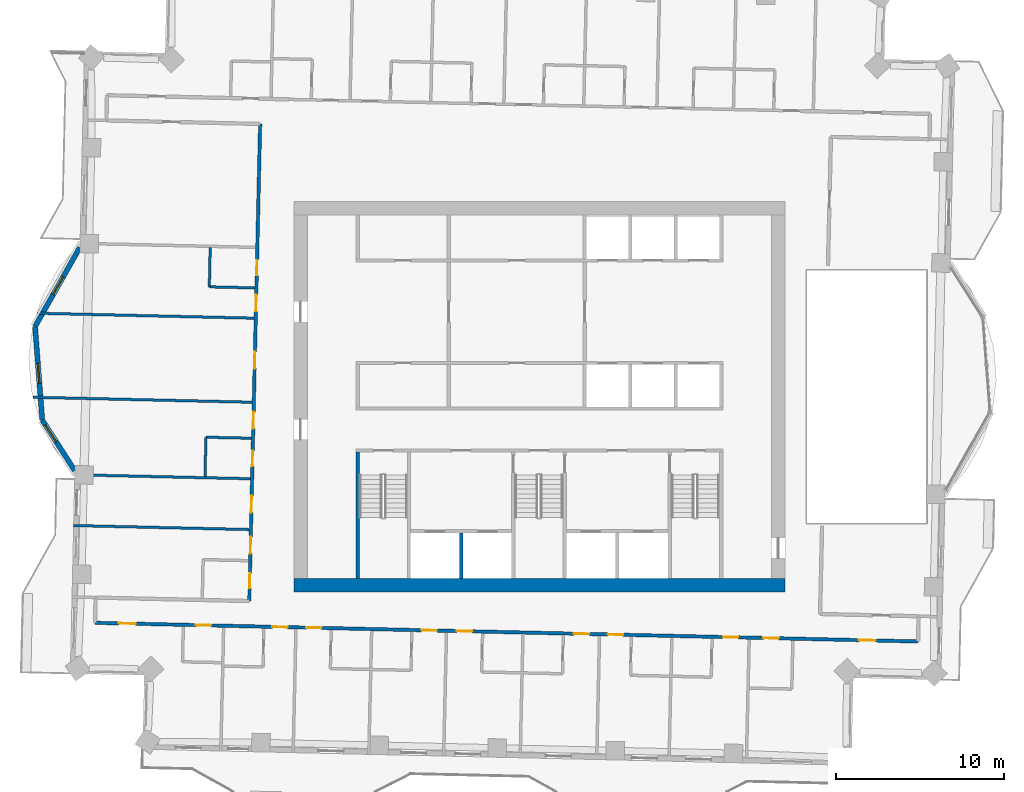
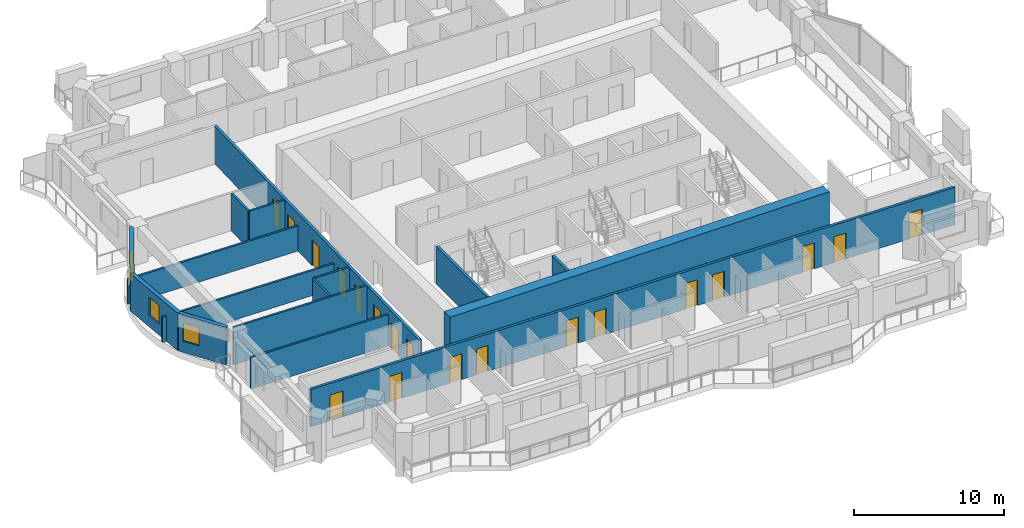
# One storey, part 5 of 14: 19 doors, 16 walls, 3 windows, 22 openings.
"""IFC4 building model written with IfcOpenShell, lengths in metres."""

from ifc_helpers import new_model, si_unit, direction, frame, frame_2d, origin, place, context, subcontext, project, spatial, rectangle, extrude, material, layer, layer_set, type_object, element, fill, save


model = new_model("IFC4")

# Units and contexts
model_context = context("Model", 3, precision=1e-05, world=origin(), true_north=direction((0.0, 1.0)))
body_context = subcontext(model_context, "Body", "Model", "MODEL_VIEW")
ifc_project = project(units=[si_unit("LENGTHUNIT", "METRE"), si_unit("AREAUNIT", "SQUARE_METRE"), si_unit("VOLUMEUNIT", "CUBIC_METRE"), si_unit("PLANEANGLEUNIT", "RADIAN"), si_unit("MASSUNIT", "GRAM", prefix="KILO")], contexts=[model_context])

# Site, building, storey
site_placement = place(None, origin())
site = spatial("IfcSite", under=ifc_project, at=site_placement, CompositionType="ELEMENT")
building_placement = place(site_placement, origin())
building = spatial("IfcBuilding", under=site, at=building_placement, Name="Mangrove Gate Tower", CompositionType="ELEMENT")
storey_placement = place(building_placement, frame((0.0, 0.0, 208.699951171875)))
storey = spatial("IfcBuildingStorey", under=building, at=storey_placement, Name="L53", CompositionType="ELEMENT", Elevation=208.699951171875)

# Walls
ifc_material_1 = material(Name="Concrete C60/75", Category="concrete")
ifc_layer_1 = layer(ifc_material_1, 0.199951171875)
ifc_layer_set_1 = layer_set([ifc_layer_1], Name="Core shaft wall 200 C60/75")
wall_type_1 = type_object("IfcWallType", Name="Core shaft wall 200 C60/75", PredefinedType="SHEAR", material=ifc_layer_set_1)
wall_1_placement = place(storey_placement, frame((-4.64990234375, -10.800048828125, 0.0), z_axis=(0.0, 0.0, 1.0), x_axis=(0.0, 1.0, 0.0)))
element("IfcWall", 1, at=wall_1_placement, inside=storey, type_object=wall_type_1, Name="WALL-L53-CORE-16", PredefinedType="SHEAR", context=body_context, shape_type="SweptSolid", body=[
    extrude(rectangle(XDim=2.699951171875, YDim=0.199951171875, at=frame_2d((1.35009765625, 0.0))), origin(), (0.0, 0.0, 1.0), 3.050048828125),
])
ifc_material_2 = material(Name="Concrete C60/75", Category="concrete")
ifc_layer_2 = layer(ifc_material_2, 0.199951171875)
ifc_layer_set_2 = layer_set([ifc_layer_2], Name="Core stair wall 200 C60/75")
wall_type_2 = type_object("IfcWallType", Name="Core stair wall 200 C60/75", PredefinedType="SHEAR", material=ifc_layer_set_2)
wall_2_placement = place(storey_placement, frame((-10.800048828125, -10.800048828125, 0.0), z_axis=(0.0, 0.0, 1.0), x_axis=(0.0, 1.0, 0.0)))
element("IfcWall", 2, at=wall_2_placement, inside=storey, type_object=wall_type_2, Name="WALL-L53-CORE-9", PredefinedType="SHEAR", context=body_context, shape_type="SweptSolid", body=[
    extrude(rectangle(XDim=7.5, YDim=0.199951171875, at=frame_2d((3.75, 0.0))), origin(), (0.0, 0.0, 1.0), 3.050048828125),
])
ifc_material_3 = material(Name="Concrete C60/75", Category="concrete")
ifc_layer_3 = layer(ifc_material_3, 0.800048828125)
ifc_layer_set_3 = layer_set([ifc_layer_3], Name="Core wall 800 C60/75")
wall_type_3 = type_object("IfcWallType", Name="Core wall 800 C60/75", PredefinedType="SHEAR", material=ifc_layer_set_3)
wall_3_placement = place(storey_placement, frame((-14.60009765625, -11.199951171875, 0.0), z_axis=(0.0, 0.0, 1.0), x_axis=(1.0, 0.0, 0.0)))
element("IfcWall", 3, at=wall_3_placement, inside=storey, type_object=wall_type_3, Name="WALL-L53-CORE-1", PredefinedType="SHEAR", context=body_context, shape_type="SweptSolid", body=[
    extrude(rectangle(XDim=29.2001953125, YDim=0.800048828125, at=frame_2d((14.60009765625, 0.0))), origin(), (0.0, 0.0, 1.0), 3.60009765625),
])

# Wall, openings, doors
ifc_material_4 = material(Name="Gypsum board on steel stud, EI 60", Category="steel")
ifc_layer_4 = layer(ifc_material_4, 0.199951171875)
ifc_layer_set_4 = layer_set([ifc_layer_4], Name="Corridor wall EI 60")
wall_type_4 = type_object("IfcWallType", Name="Corridor wall EI 60", PredefinedType="PARTITIONING", material=ifc_layer_set_4)
wall_4_placement = place(storey_placement, frame((-26.4208984375, -13.44091796875, 0.0), z_axis=(0.0, 0.0, 1.0), x_axis=(0.999742754064, -0.022680954485, 0.0)))
wall_4 = element("IfcWall", 4, at=wall_4_placement, inside=storey, type_object=wall_type_4, Name="WALL-L53-024", PredefinedType="PARTITIONING", context=body_context, shape_type="SweptSolid", body=[
    extrude(rectangle(XDim=48.944580078125, YDim=0.199951171875, at=frame_2d((24.47216796875, 0.0))), origin(), (0.0, 0.0, 1.0), 3.050048828125),
])
opening_1_placement = place(wall_4_placement, frame((1.425048828125, 0.0, 0.0)))
opening_1 = element("IfcOpeningElement", 5, at=opening_1_placement, cuts=wall_4, Name="Opening AD", PredefinedType="OPENING", context=body_context, shape_type="SweptSolid", body=[
    extrude(rectangle(XDim=1.0, YDim=2.10009765625, at=frame_2d((0.5, 1.050048828125))), frame((0.0, 0.10986328125, 0.0), z_axis=(0.0, -1.0, 0.0), x_axis=(1.0, 0.0, 0.0)), (0.0, 0.0, 1.0), 0.219970703125),
])
opening_2_placement = place(wall_4_placement, frame((6.0, 0.0, 0.0)))
opening_2 = element("IfcOpeningElement", 6, at=opening_2_placement, cuts=wall_4, Name="Opening SD", PredefinedType="OPENING", context=body_context, shape_type="SweptSolid", body=[
    extrude(rectangle(XDim=0.89990234375, YDim=2.10009765625, at=frame_2d((0.449951171875, 1.050048828125))), frame((0.0, 0.10986328125, 0.0), z_axis=(0.0, -1.0, 0.0), x_axis=(1.0, 0.0, 0.0)), (0.0, 0.0, 1.0), 0.219970703125),
])
opening_3_placement = place(wall_4_placement, frame((10.550048828125, 0.0, 0.0)))
opening_3 = element("IfcOpeningElement", 7, at=opening_3_placement, cuts=wall_4, Name="Opening BD", PredefinedType="OPENING", context=body_context, shape_type="SweptSolid", body=[
    extrude(rectangle(XDim=0.89990234375, YDim=2.10009765625, at=frame_2d((0.449951171875, 1.050048828125))), frame((0.0, 0.10986328125, 0.0), z_axis=(0.0, -1.0, 0.0), x_axis=(1.0, 0.0, 0.0)), (0.0, 0.0, 1.0), 0.219970703125),
])
opening_4_placement = place(wall_4_placement, frame((12.550048828125, 0.0, 0.0)))
opening_4 = element("IfcOpeningElement", 8, at=opening_4_placement, cuts=wall_4, Name="Opening BD", PredefinedType="OPENING", context=body_context, shape_type="SweptSolid", body=[
    extrude(rectangle(XDim=0.89990234375, YDim=2.10009765625, at=frame_2d((0.449951171875, 1.050048828125))), frame((0.0, 0.10986328125, 0.0), z_axis=(0.0, -1.0, 0.0), x_axis=(1.0, 0.0, 0.0)), (0.0, 0.0, 1.0), 0.219970703125),
])
opening_5_placement = place(wall_4_placement, frame((19.425048828125, 0.0, 0.0)))
opening_5 = element("IfcOpeningElement", 9, at=opening_5_placement, cuts=wall_4, Name="Opening BD", PredefinedType="OPENING", context=body_context, shape_type="SweptSolid", body=[
    extrude(rectangle(XDim=0.89990234375, YDim=2.10009765625, at=frame_2d((0.449951171875, 1.050048828125))), frame((0.0, 0.10986328125, 0.0), z_axis=(0.0, -1.0, 0.0), x_axis=(1.0, 0.0, 0.0)), (0.0, 0.0, 1.0), 0.219970703125),
])
opening_6_placement = place(wall_4_placement, frame((21.52490234375, 0.0, 0.0)))
opening_6 = element("IfcOpeningElement", 10, at=opening_6_placement, cuts=wall_4, Name="Opening BD", PredefinedType="OPENING", context=body_context, shape_type="SweptSolid", body=[
    extrude(rectangle(XDim=0.89990234375, YDim=2.10009765625, at=frame_2d((0.449951171875, 1.050048828125))), frame((0.0, 0.10986328125, 0.0), z_axis=(0.0, -1.0, 0.0), x_axis=(1.0, 0.0, 0.0)), (0.0, 0.0, 1.0), 0.219970703125),
])
opening_7_placement = place(wall_4_placement, frame((28.47509765625, 0.0, 0.0)))
opening_7 = element("IfcOpeningElement", 11, at=opening_7_placement, cuts=wall_4, Name="Opening BD", PredefinedType="OPENING", context=body_context, shape_type="SweptSolid", body=[
    extrude(rectangle(XDim=0.89990234375, YDim=2.10009765625, at=frame_2d((0.449951171875, 1.050048828125))), frame((0.0, 0.10986328125, 0.0), z_axis=(0.0, -1.0, 0.0), x_axis=(1.0, 0.0, 0.0)), (0.0, 0.0, 1.0), 0.219970703125),
])
opening_8_placement = place(wall_4_placement, frame((30.5, 0.0, 0.0)))
opening_8 = element("IfcOpeningElement", 12, at=opening_8_placement, cuts=wall_4, Name="Opening BD", PredefinedType="OPENING", context=body_context, shape_type="SweptSolid", body=[
    extrude(rectangle(XDim=0.89990234375, YDim=2.10009765625, at=frame_2d((0.449951171875, 1.050048828125))), frame((0.0, 0.10986328125, 0.0), z_axis=(0.0, -1.0, 0.0), x_axis=(1.0, 0.0, 0.0)), (0.0, 0.0, 1.0), 0.219970703125),
])
opening_9_placement = place(wall_4_placement, frame((37.35009765625, 0.0, 0.0)))
opening_9 = element("IfcOpeningElement", 13, at=opening_9_placement, cuts=wall_4, Name="Opening BD", PredefinedType="OPENING", context=body_context, shape_type="SweptSolid", body=[
    extrude(rectangle(XDim=0.89990234375, YDim=2.10009765625, at=frame_2d((0.449951171875, 1.050048828125))), frame((0.0, 0.10986328125, 0.0), z_axis=(0.0, -1.0, 0.0), x_axis=(1.0, 0.0, 0.0)), (0.0, 0.0, 1.0), 0.219970703125),
])
opening_10_placement = place(wall_4_placement, frame((45.422119140625, 0.0, 0.0)))
opening_10 = element("IfcOpeningElement", 14, at=opening_10_placement, cuts=wall_4, Name="Opening AD", PredefinedType="OPENING", context=body_context, shape_type="SweptSolid", body=[
    extrude(rectangle(XDim=1.0, YDim=2.10009765625, at=frame_2d((0.5, 1.050048828125))), frame((0.0, 0.10986328125, 0.0), z_axis=(0.0, -1.0, 0.0), x_axis=(1.0, 0.0, 0.0)), (0.0, 0.0, 1.0), 0.219970703125),
])
opening_11_placement = place(wall_4_placement, frame((39.75, 0.0, 0.0)))
opening_11 = element("IfcOpeningElement", 15, at=opening_11_placement, cuts=wall_4, Name="Opening SD", PredefinedType="OPENING", context=body_context, shape_type="SweptSolid", body=[
    extrude(rectangle(XDim=0.89990234375, YDim=2.10009765625, at=frame_2d((0.449951171875, 1.050048828125))), frame((0.0, 0.10986328125, 0.0), z_axis=(0.0, -1.0, 0.0), x_axis=(1.0, 0.0, 0.0)), (0.0, 0.0, 1.0), 0.219970703125),
])
ifc_material_5 = material(Name="Timber door leaf", Category="wood")
door_type_1 = type_object("IfcDoorType", Name="Amenity door 1000", OperationType="SINGLE_SWING_LEFT", PredefinedType="DOOR", material=ifc_material_5)
door_1_placement = place(opening_1_placement, origin())
door_1 = element("IfcDoor", 16, at=door_1_placement, inside=storey, type_object=door_type_1, Name="DOOR-L53-LNG-c1a", OperationType="SINGLE_SWING_LEFT", OverallHeight=2.10009765625, OverallWidth=1.0, PredefinedType="DOOR", context=body_context, shape_type="SweptSolid", body=[
    extrude(rectangle(XDim=1.0, YDim=2.10009765625, at=frame_2d((0.5, 1.050048828125))), frame((0.0, 0.02490234375, 0.0), z_axis=(0.0, -1.0, 0.0), x_axis=(1.0, 0.0, 0.0)), (0.0, 0.0, 1.0), 0.050048828125),
])
fill(opening_1, door_1)
door_2_placement = place(opening_10_placement, origin())
door_2 = element("IfcDoor", 17, at=door_2_placement, inside=storey, type_object=door_type_1, Name="DOOR-L53-GAM-c3a", OperationType="SINGLE_SWING_RIGHT", OverallHeight=2.10009765625, OverallWidth=1.0, PredefinedType="DOOR", context=body_context, shape_type="SweptSolid", body=[
    extrude(rectangle(XDim=1.0, YDim=2.10009765625, at=frame_2d((0.5, 1.050048828125))), frame((0.0, 0.02490234375, 0.0), z_axis=(0.0, -1.0, 0.0), x_axis=(1.0, 0.0, 0.0)), (0.0, 0.0, 1.0), 0.050048828125),
])
fill(opening_10, door_2)
ifc_material_6 = material(Name="Timber door leaf", Category="wood")
door_type_2 = type_object("IfcDoorType", Name="Bedroom door 900", OperationType="SINGLE_SWING_LEFT", PredefinedType="DOOR", material=ifc_material_6)
door_3_placement = place(opening_3_placement, origin())
door_3 = element("IfcDoor", 18, at=door_3_placement, inside=storey, type_object=door_type_2, Name="DOOR-L53-BED-c101", OperationType="SINGLE_SWING_LEFT", OverallHeight=2.10009765625, OverallWidth=0.89990234375, PredefinedType="DOOR", context=body_context, shape_type="SweptSolid", body=[
    extrude(rectangle(XDim=0.89990234375, YDim=2.10009765625, at=frame_2d((0.449951171875, 1.050048828125))), frame((0.0, 0.02490234375, 0.0), z_axis=(0.0, -1.0, 0.0), x_axis=(1.0, 0.0, 0.0)), (0.0, 0.0, 1.0), 0.050048828125),
])
fill(opening_3, door_3)
door_4_placement = place(opening_4_placement, origin())
door_4 = element("IfcDoor", 19, at=door_4_placement, inside=storey, type_object=door_type_2, Name="DOOR-L53-BED-c102", OperationType="SINGLE_SWING_RIGHT", OverallHeight=2.10009765625, OverallWidth=0.89990234375, PredefinedType="DOOR", context=body_context, shape_type="SweptSolid", body=[
    extrude(rectangle(XDim=0.89990234375, YDim=2.10009765625, at=frame_2d((0.449951171875, 1.050048828125))), frame((0.0, 0.02490234375, 0.0), z_axis=(0.0, -1.0, 0.0), x_axis=(1.0, 0.0, 0.0)), (0.0, 0.0, 1.0), 0.050048828125),
])
fill(opening_4, door_4)
door_5_placement = place(opening_5_placement, origin())
door_5 = element("IfcDoor", 20, at=door_5_placement, inside=storey, type_object=door_type_2, Name="DOOR-L53-BED-c103", OperationType="SINGLE_SWING_LEFT", OverallHeight=2.10009765625, OverallWidth=0.89990234375, PredefinedType="DOOR", context=body_context, shape_type="SweptSolid", body=[
    extrude(rectangle(XDim=0.89990234375, YDim=2.10009765625, at=frame_2d((0.449951171875, 1.050048828125))), frame((0.0, 0.02490234375, 0.0), z_axis=(0.0, -1.0, 0.0), x_axis=(1.0, 0.0, 0.0)), (0.0, 0.0, 1.0), 0.050048828125),
])
fill(opening_5, door_5)
door_6_placement = place(opening_6_placement, origin())
door_6 = element("IfcDoor", 21, at=door_6_placement, inside=storey, type_object=door_type_2, Name="DOOR-L53-BED-c204", OperationType="SINGLE_SWING_RIGHT", OverallHeight=2.10009765625, OverallWidth=0.89990234375, PredefinedType="DOOR", context=body_context, shape_type="SweptSolid", body=[
    extrude(rectangle(XDim=0.89990234375, YDim=2.10009765625, at=frame_2d((0.449951171875, 1.050048828125))), frame((0.0, 0.02490234375, 0.0), z_axis=(0.0, -1.0, 0.0), x_axis=(1.0, 0.0, 0.0)), (0.0, 0.0, 1.0), 0.050048828125),
])
fill(opening_6, door_6)
door_7_placement = place(opening_7_placement, origin())
door_7 = element("IfcDoor", 22, at=door_7_placement, inside=storey, type_object=door_type_2, Name="DOOR-L53-BED-c205", OperationType="SINGLE_SWING_LEFT", OverallHeight=2.10009765625, OverallWidth=0.89990234375, PredefinedType="DOOR", context=body_context, shape_type="SweptSolid", body=[
    extrude(rectangle(XDim=0.89990234375, YDim=2.10009765625, at=frame_2d((0.449951171875, 1.050048828125))), frame((0.0, 0.02490234375, 0.0), z_axis=(0.0, -1.0, 0.0), x_axis=(1.0, 0.0, 0.0)), (0.0, 0.0, 1.0), 0.050048828125),
])
fill(opening_7, door_7)
door_8_placement = place(opening_8_placement, origin())
door_8 = element("IfcDoor", 23, at=door_8_placement, inside=storey, type_object=door_type_2, Name="DOOR-L53-BED-c206", OperationType="SINGLE_SWING_RIGHT", OverallHeight=2.10009765625, OverallWidth=0.89990234375, PredefinedType="DOOR", context=body_context, shape_type="SweptSolid", body=[
    extrude(rectangle(XDim=0.89990234375, YDim=2.10009765625, at=frame_2d((0.449951171875, 1.050048828125))), frame((0.0, 0.02490234375, 0.0), z_axis=(0.0, -1.0, 0.0), x_axis=(1.0, 0.0, 0.0)), (0.0, 0.0, 1.0), 0.050048828125),
])
fill(opening_8, door_8)
door_9_placement = place(opening_9_placement, origin())
door_9 = element("IfcDoor", 24, at=door_9_placement, inside=storey, type_object=door_type_2, Name="DOOR-L53-BED-c307", OperationType="SINGLE_SWING_LEFT", OverallHeight=2.10009765625, OverallWidth=0.89990234375, PredefinedType="DOOR", context=body_context, shape_type="SweptSolid", body=[
    extrude(rectangle(XDim=0.89990234375, YDim=2.10009765625, at=frame_2d((0.449951171875, 1.050048828125))), frame((0.0, 0.02490234375, 0.0), z_axis=(0.0, -1.0, 0.0), x_axis=(1.0, 0.0, 0.0)), (0.0, 0.0, 1.0), 0.050048828125),
])
fill(opening_9, door_9)
ifc_material_7 = material(Name="Timber door leaf", Category="wood")
door_type_3 = type_object("IfcDoorType", Name="Service room door 900", OperationType="SINGLE_SWING_LEFT", PredefinedType="DOOR", material=ifc_material_7)
door_10_placement = place(opening_2_placement, origin())
door_10 = element("IfcDoor", 25, at=door_10_placement, inside=storey, type_object=door_type_3, Name="DOOR-L53-LIN-c1a", OperationType="SINGLE_SWING_LEFT", OverallHeight=2.10009765625, OverallWidth=0.89990234375, PredefinedType="DOOR", context=body_context, shape_type="SweptSolid", body=[
    extrude(rectangle(XDim=0.89990234375, YDim=2.10009765625, at=frame_2d((0.449951171875, 1.050048828125))), frame((0.0, 0.02490234375, 0.0), z_axis=(0.0, -1.0, 0.0), x_axis=(1.0, 0.0, 0.0)), (0.0, 0.0, 1.0), 0.050048828125),
])
fill(opening_2, door_10)
door_11_placement = place(opening_11_placement, origin())
door_11 = element("IfcDoor", 26, at=door_11_placement, inside=storey, type_object=door_type_3, Name="DOOR-L53-AWC-c3a", OperationType="SINGLE_SWING_RIGHT", OverallHeight=2.10009765625, OverallWidth=0.89990234375, PredefinedType="DOOR", context=body_context, shape_type="SweptSolid", body=[
    extrude(rectangle(XDim=0.89990234375, YDim=2.10009765625, at=frame_2d((0.449951171875, 1.050048828125))), frame((0.0, 0.02490234375, 0.0), z_axis=(0.0, -1.0, 0.0), x_axis=(1.0, 0.0, 0.0)), (0.0, 0.0, 1.0), 0.050048828125),
])
fill(opening_11, door_11)

wall_5_placement = place(storey_placement, frame((-17.2470703125, -12.14892578125, 0.0), z_axis=(0.0, 0.0, 1.0), x_axis=(0.022698146637, 0.999742363881, 0.0)))
wall_5 = element("IfcWall", 27, at=wall_5_placement, inside=storey, type_object=wall_type_4, Name="WALL-L53-030", PredefinedType="PARTITIONING", context=body_context, shape_type="SweptSolid", body=[
    extrude(rectangle(XDim=28.374267578125, YDim=0.199951171875, at=frame_2d((14.18701171875, 0.0))), origin(), (0.0, 0.0, 1.0), 3.050048828125),
])
opening_12_placement = place(wall_5_placement, frame((17.22509765625, 0.0, 0.0)))
opening_12 = element("IfcOpeningElement", 28, at=opening_12_placement, cuts=wall_5, Name="Opening AD", PredefinedType="OPENING", context=body_context, shape_type="SweptSolid", body=[
    extrude(rectangle(XDim=1.0, YDim=2.10009765625, at=frame_2d((0.5, 1.050048828125))), frame((0.0, 0.10986328125, 0.0), z_axis=(0.0, -1.0, 0.0), x_axis=(1.0, 0.0, 0.0)), (0.0, 0.0, 1.0), 0.219970703125),
])
opening_13_placement = place(wall_5_placement, frame((19.375, 0.0, 0.0)))
opening_13 = element("IfcOpeningElement", 29, at=opening_13_placement, cuts=wall_5, Name="Opening SD", PredefinedType="OPENING", context=body_context, shape_type="SweptSolid", body=[
    extrude(rectangle(XDim=0.89990234375, YDim=2.10009765625, at=frame_2d((0.449951171875, 1.050048828125))), frame((0.0, 0.10986328125, 0.0), z_axis=(0.0, -1.0, 0.0), x_axis=(1.0, 0.0, 0.0)), (0.0, 0.0, 1.0), 0.219970703125),
])
opening_14_placement = place(wall_5_placement, frame((13.822021484375, 0.0, 0.0)))
opening_14 = element("IfcOpeningElement", 30, at=opening_14_placement, cuts=wall_5, Name="Opening AD", PredefinedType="OPENING", context=body_context, shape_type="SweptSolid", body=[
    extrude(rectangle(XDim=1.0, YDim=2.10009765625, at=frame_2d((0.5, 1.050048828125))), frame((0.0, 0.10986328125, 0.0), z_axis=(0.0, -1.0, 0.0), x_axis=(1.0, 0.0, 0.0)), (0.0, 0.0, 1.0), 0.219970703125),
])
opening_15_placement = place(wall_5_placement, frame((10.25, 0.0, 0.0)))
opening_15 = element("IfcOpeningElement", 31, at=opening_15_placement, cuts=wall_5, Name="Opening AD", PredefinedType="OPENING", context=body_context, shape_type="SweptSolid", body=[
    extrude(rectangle(XDim=1.0, YDim=2.10009765625, at=frame_2d((0.5, 1.050048828125))), frame((0.0, 0.10986328125, 0.0), z_axis=(0.0, -1.0, 0.0), x_axis=(1.0, 0.0, 0.0)), (0.0, 0.0, 1.0), 0.219970703125),
])
opening_16_placement = place(wall_5_placement, frame((8.02490234375, 0.0, 0.0)))
opening_16 = element("IfcOpeningElement", 32, at=opening_16_placement, cuts=wall_5, Name="Opening SD", PredefinedType="OPENING", context=body_context, shape_type="SweptSolid", body=[
    extrude(rectangle(XDim=0.89990234375, YDim=2.10009765625, at=frame_2d((0.449951171875, 1.050048828125))), frame((0.0, 0.10986328125, 0.0), z_axis=(0.0, -1.0, 0.0), x_axis=(1.0, 0.0, 0.0)), (0.0, 0.0, 1.0), 0.219970703125),
])
opening_17_placement = place(wall_5_placement, frame((5.261962890625, 0.0, 0.0)))
opening_17 = element("IfcOpeningElement", 33, at=opening_17_placement, cuts=wall_5, Name="Opening AD", PredefinedType="OPENING", context=body_context, shape_type="SweptSolid", body=[
    extrude(rectangle(XDim=1.0, YDim=2.10009765625, at=frame_2d((0.5, 1.050048828125))), frame((0.0, 0.10986328125, 0.0), z_axis=(0.0, -1.0, 0.0), x_axis=(1.0, 0.0, 0.0)), (0.0, 0.0, 1.0), 0.219970703125),
])
opening_18_placement = place(wall_5_placement, frame((2.824951171875, 0.0, 0.0)))
opening_18 = element("IfcOpeningElement", 34, at=opening_18_placement, cuts=wall_5, Name="Opening AD", PredefinedType="OPENING", context=body_context, shape_type="SweptSolid", body=[
    extrude(rectangle(XDim=1.0, YDim=2.10009765625, at=frame_2d((0.5, 1.050048828125))), frame((0.0, 0.10986328125, 0.0), z_axis=(0.0, -1.0, 0.0), x_axis=(1.0, 0.0, 0.0)), (0.0, 0.0, 1.0), 0.219970703125),
])
opening_19_placement = place(wall_5_placement, frame((0.75, 0.0, 0.0)))
opening_19 = element("IfcOpeningElement", 35, at=opening_19_placement, cuts=wall_5, Name="Opening SD", PredefinedType="OPENING", context=body_context, shape_type="SweptSolid", body=[
    extrude(rectangle(XDim=0.89990234375, YDim=2.10009765625, at=frame_2d((0.449951171875, 1.050048828125))), frame((0.0, 0.10986328125, 0.0), z_axis=(0.0, -1.0, 0.0), x_axis=(1.0, 0.0, 0.0)), (0.0, 0.0, 1.0), 0.219970703125),
])
door_12_placement = place(opening_12_placement, origin())
door_12 = element("IfcDoor", 36, at=door_12_placement, inside=storey, type_object=door_type_1, Name="DOOR-L53-STU-c5a", OperationType="SINGLE_SWING_RIGHT", OverallHeight=2.10009765625, OverallWidth=1.0, PredefinedType="DOOR", context=body_context, shape_type="SweptSolid", body=[
    extrude(rectangle(XDim=1.0, YDim=2.10009765625, at=frame_2d((0.5, 1.050048828125))), frame((0.0, 0.02490234375, 0.0), z_axis=(0.0, -1.0, 0.0), x_axis=(1.0, 0.0, 0.0)), (0.0, 0.0, 1.0), 0.050048828125),
])
fill(opening_12, door_12)
door_13_placement = place(opening_14_placement, origin())
door_13 = element("IfcDoor", 37, at=door_13_placement, inside=storey, type_object=door_type_1, Name="DOOR-L53-LNG-c5c", OperationType="SINGLE_SWING_LEFT", OverallHeight=2.10009765625, OverallWidth=1.0, PredefinedType="DOOR", context=body_context, shape_type="SweptSolid", body=[
    extrude(rectangle(XDim=1.0, YDim=2.10009765625, at=frame_2d((0.5, 1.050048828125))), frame((0.0, 0.02490234375, 0.0), z_axis=(0.0, -1.0, 0.0), x_axis=(1.0, 0.0, 0.0)), (0.0, 0.0, 1.0), 0.050048828125),
])
fill(opening_14, door_13)
door_14_placement = place(opening_15_placement, origin())
door_14 = element("IfcDoor", 38, at=door_14_placement, inside=storey, type_object=door_type_1, Name="DOOR-L53-LNG-c5d", OperationType="SINGLE_SWING_RIGHT", OverallHeight=2.10009765625, OverallWidth=1.0, PredefinedType="DOOR", context=body_context, shape_type="SweptSolid", body=[
    extrude(rectangle(XDim=1.0, YDim=2.10009765625, at=frame_2d((0.5, 1.050048828125))), frame((0.0, 0.02490234375, 0.0), z_axis=(0.0, -1.0, 0.0), x_axis=(1.0, 0.0, 0.0)), (0.0, 0.0, 1.0), 0.050048828125),
])
fill(opening_15, door_14)
door_15_placement = place(opening_17_placement, origin())
door_15 = element("IfcDoor", 39, at=door_15_placement, inside=storey, type_object=door_type_1, Name="DOOR-L53-STU-c5b", OperationType="SINGLE_SWING_LEFT", OverallHeight=2.10009765625, OverallWidth=1.0, PredefinedType="DOOR", context=body_context, shape_type="SweptSolid", body=[
    extrude(rectangle(XDim=1.0, YDim=2.10009765625, at=frame_2d((0.5, 1.050048828125))), frame((0.0, 0.02490234375, 0.0), z_axis=(0.0, -1.0, 0.0), x_axis=(1.0, 0.0, 0.0)), (0.0, 0.0, 1.0), 0.050048828125),
])
fill(opening_17, door_15)
door_16_placement = place(opening_18_placement, origin())
door_16 = element("IfcDoor", 40, at=door_16_placement, inside=storey, type_object=door_type_1, Name="DOOR-L53-LNG-c5e", OperationType="SINGLE_SWING_RIGHT", OverallHeight=2.10009765625, OverallWidth=1.0, PredefinedType="DOOR", context=body_context, shape_type="SweptSolid", body=[
    extrude(rectangle(XDim=1.0, YDim=2.10009765625, at=frame_2d((0.5, 1.050048828125))), frame((0.0, 0.02490234375, 0.0), z_axis=(0.0, -1.0, 0.0), x_axis=(1.0, 0.0, 0.0)), (0.0, 0.0, 1.0), 0.050048828125),
])
fill(opening_18, door_16)
door_17_placement = place(opening_13_placement, origin())
door_17 = element("IfcDoor", 41, at=door_17_placement, inside=storey, type_object=door_type_3, Name="DOOR-L53-WC-c5a", OperationType="SINGLE_SWING_RIGHT", OverallHeight=2.10009765625, OverallWidth=0.89990234375, PredefinedType="DOOR", context=body_context, shape_type="SweptSolid", body=[
    extrude(rectangle(XDim=0.89990234375, YDim=2.10009765625, at=frame_2d((0.449951171875, 1.050048828125))), frame((0.0, 0.02490234375, 0.0), z_axis=(0.0, -1.0, 0.0), x_axis=(1.0, 0.0, 0.0)), (0.0, 0.0, 1.0), 0.050048828125),
])
fill(opening_13, door_17)
door_18_placement = place(opening_16_placement, origin())
door_18 = element("IfcDoor", 42, at=door_18_placement, inside=storey, type_object=door_type_3, Name="DOOR-L53-WC-c5b", OperationType="SINGLE_SWING_LEFT", OverallHeight=2.10009765625, OverallWidth=0.89990234375, PredefinedType="DOOR", context=body_context, shape_type="SweptSolid", body=[
    extrude(rectangle(XDim=0.89990234375, YDim=2.10009765625, at=frame_2d((0.449951171875, 1.050048828125))), frame((0.0, 0.02490234375, 0.0), z_axis=(0.0, -1.0, 0.0), x_axis=(1.0, 0.0, 0.0)), (0.0, 0.0, 1.0), 0.050048828125),
])
fill(opening_16, door_18)
door_19_placement = place(opening_19_placement, origin())
door_19 = element("IfcDoor", 43, at=door_19_placement, inside=storey, type_object=door_type_3, Name="DOOR-L53-WC-c5c", OperationType="SINGLE_SWING_RIGHT", OverallHeight=2.10009765625, OverallWidth=0.89990234375, PredefinedType="DOOR", context=body_context, shape_type="SweptSolid", body=[
    extrude(rectangle(XDim=0.89990234375, YDim=2.10009765625, at=frame_2d((0.449951171875, 1.050048828125))), frame((0.0, 0.02490234375, 0.0), z_axis=(0.0, -1.0, 0.0), x_axis=(1.0, 0.0, 0.0)), (0.0, 0.0, 1.0), 0.050048828125),
])
fill(opening_19, door_19)

# Wall, opening, window
ifc_material_8 = material(Name="Limestone", Category="masonry")
ifc_layer_5 = layer(ifc_material_8, 0.0400390625, Name="Limestone cladding")
ifc_material_9 = material(Name="Ventilated air gap")
ifc_layer_6 = layer(ifc_material_9, 0.0400390625, Name="Ventilated cavity")
ifc_material_10 = material(Name="Mineral wool insulation")
ifc_layer_7 = layer(ifc_material_10, 0.06005859375, Name="Insulation")
ifc_material_11 = material(Name="Breather membrane")
ifc_layer_8 = layer(ifc_material_11, 0.001953125, Name="Breather membrane")
ifc_material_12 = material(Name="Concrete C20/25 blockwork", Category="masonry")
ifc_layer_9 = layer(ifc_material_12, 0.14990234375, Name="Blockwork backing wall")
ifc_material_13 = material(Name="Gypsum plaster")
ifc_layer_10 = layer(ifc_material_13, 0.008056640625, Name="Internal plaster")
ifc_layer_set_5 = layer_set([ifc_layer_5, ifc_layer_6, ifc_layer_7, ifc_layer_8, ifc_layer_9, ifc_layer_10], Name="External wall 300 limestone cladding")
wall_type_5 = type_object("IfcWallType", Name="External wall 300 limestone cladding", PredefinedType="SOLIDWALL", material=ifc_layer_set_5)
wall_6_placement = place(storey_placement, frame((-27.324951171875, 8.865966796875, 0.0), z_axis=(0.0, 0.0, 1.0), x_axis=(-0.492554919955, -0.870281363025, 0.0)))
wall_6 = element("IfcWall", 44, at=wall_6_placement, inside=storey, type_object=wall_type_5, Name="WALL-L53-W9f1", PredefinedType="SOLIDWALL", context=body_context, shape_type="SweptSolid", body=[
    extrude(rectangle(XDim=5.398193359375, YDim=0.300048828125, at=frame_2d((2.69921875, 0.0))), origin(), (0.0, 0.0, 1.0), 3.050048828125),
])
opening_20_placement = place(wall_6_placement, frame((2.008056640625, 0.0, 0.89990234375)))
opening_20 = element("IfcOpeningElement", 45, at=opening_20_placement, cuts=wall_6, Name="Opening W1", PredefinedType="OPENING", context=body_context, shape_type="SweptSolid", body=[
    extrude(rectangle(XDim=1.199951171875, YDim=1.5, at=frame_2d((0.60009765625, 0.75))), frame((0.0, 0.159912109375, 0.0), z_axis=(0.0, -1.0, 0.0), x_axis=(1.0, 0.0, 0.0)), (0.0, 0.0, 1.0), 0.320068359375),
])
ifc_material_14 = material(Name="Aluminium frame with double-glazed low-e glass", Category="aluminium")
window_type = type_object("IfcWindowType", Name="Side lite 1200x1500", PartitioningType="SINGLE_PANEL", PredefinedType="WINDOW", material=ifc_material_14)
window_1_placement = place(opening_20_placement, origin())
window_1 = element("IfcWindow", 46, at=window_1_placement, inside=storey, type_object=window_type, Name="WIN-L53-W9f1", OverallHeight=1.5, OverallWidth=1.199951171875, PartitioningType="SINGLE_PANEL", PredefinedType="WINDOW", context=body_context, shape_type="SweptSolid", body=[
    extrude(rectangle(XDim=1.199951171875, YDim=1.5, at=frame_2d((0.60009765625, 0.75))), frame((0.0, 0.030029296875, 0.0), z_axis=(0.0, -1.0, 0.0), x_axis=(1.0, 0.0, 0.0)), (0.0, 0.0, 1.0), 0.06005859375),
])
fill(opening_20, window_1)

wall_7_placement = place(storey_placement, frame((-29.98388671875, 4.16796875, 0.0), z_axis=(0.0, 0.0, 1.0), x_axis=(0.076964476481, -0.997033835614, 0.0)))
wall_7 = element("IfcWall", 47, at=wall_7_placement, inside=storey, type_object=wall_type_5, Name="WALL-L53-W9f2", PredefinedType="SOLIDWALL", context=body_context, shape_type="SweptSolid", body=[
    extrude(rectangle(XDim=5.573486328125, YDim=0.300048828125, at=frame_2d((2.78662109375, 0.0))), origin(), (0.0, 0.0, 1.0), 3.050048828125),
])
opening_21_placement = place(wall_7_placement, frame((2.18603515625, 0.0, 0.89990234375)))
opening_21 = element("IfcOpeningElement", 48, at=opening_21_placement, cuts=wall_7, Name="Opening W1", PredefinedType="OPENING", context=body_context, shape_type="SweptSolid", body=[
    extrude(rectangle(XDim=1.199951171875, YDim=1.5, at=frame_2d((0.60009765625, 0.75))), frame((0.0, 0.159912109375, 0.0), z_axis=(0.0, -1.0, 0.0), x_axis=(1.0, 0.0, 0.0)), (0.0, 0.0, 1.0), 0.320068359375),
])
window_2_placement = place(opening_21_placement, origin())
window_2 = element("IfcWindow", 49, at=window_2_placement, inside=storey, type_object=window_type, Name="WIN-L53-W9f2", OverallHeight=1.5, OverallWidth=1.199951171875, PartitioningType="SINGLE_PANEL", PredefinedType="WINDOW", context=body_context, shape_type="SweptSolid", body=[
    extrude(rectangle(XDim=1.199951171875, YDim=1.5, at=frame_2d((0.60009765625, 0.75))), frame((0.0, 0.030029296875, 0.0), z_axis=(0.0, -1.0, 0.0), x_axis=(1.0, 0.0, 0.0)), (0.0, 0.0, 1.0), 0.06005859375),
])
fill(opening_21, window_2)

wall_8_placement = place(storey_placement, frame((-29.554931640625, -1.388916015625, 0.0), z_axis=(0.0, 0.0, 1.0), x_axis=(0.540622779574, -0.8412651248, 0.0)))
wall_8 = element("IfcWall", 50, at=wall_8_placement, inside=storey, type_object=wall_type_5, Name="WALL-L53-W9f3", PredefinedType="SOLIDWALL", context=body_context, shape_type="SweptSolid", body=[
    extrude(rectangle(XDim=3.56982421875, YDim=0.300048828125, at=frame_2d((1.784912109375, 0.0))), origin(), (0.0, 0.0, 1.0), 3.050048828125),
])
opening_22_placement = place(wall_8_placement, frame((0.337890625, 0.0, 0.89990234375)))
opening_22 = element("IfcOpeningElement", 51, at=opening_22_placement, cuts=wall_8, Name="Opening W1", PredefinedType="OPENING", context=body_context, shape_type="SweptSolid", body=[
    extrude(rectangle(XDim=1.199951171875, YDim=1.5, at=frame_2d((0.60009765625, 0.75))), frame((0.0, 0.159912109375, 0.0), z_axis=(0.0, -1.0, 0.0), x_axis=(1.0, 0.0, 0.0)), (0.0, 0.0, 1.0), 0.320068359375),
])
window_3_placement = place(opening_22_placement, origin())
window_3 = element("IfcWindow", 52, at=window_3_placement, inside=storey, type_object=window_type, Name="WIN-L53-W9f3", OverallHeight=1.5, OverallWidth=1.199951171875, PartitioningType="SINGLE_PANEL", PredefinedType="WINDOW", context=body_context, shape_type="SweptSolid", body=[
    extrude(rectangle(XDim=1.199951171875, YDim=1.5, at=frame_2d((0.60009765625, 0.75))), frame((0.0, 0.030029296875, 0.0), z_axis=(0.0, -1.0, 0.0), x_axis=(1.0, 0.0, 0.0)), (0.0, 0.0, 1.0), 0.06005859375),
])
fill(opening_22, window_3)

# Walls
ifc_material_15 = material(Name="Gypsum board on steel stud, EI 60", Category="steel")
ifc_layer_11 = layer(ifc_material_15, 0.14990234375)
ifc_layer_set_6 = layer_set([ifc_layer_11], Name="Party wall 150 EI 60")
wall_type_6 = type_object("IfcWallType", Name="Party wall 150 EI 60", PredefinedType="PARTITIONING", material=ifc_layer_set_6)
wall_9_placement = place(storey_placement, frame((-27.68994140625, -7.659912109375, 0.0), z_axis=(0.0, 0.0, 1.0), x_axis=(0.99974219758, -0.022705470222, 0.0)))
element("IfcWall", 53, at=wall_9_placement, inside=storey, type_object=wall_type_6, Name="WALL-L53-035", PredefinedType="PARTITIONING", context=body_context, shape_type="SweptSolid", body=[
    extrude(rectangle(XDim=10.440673828125, YDim=0.14990234375, at=frame_2d((5.22021484375, 0.0))), origin(), (0.0, 0.0, 1.0), 2.550048828125),
])
wall_10_placement = place(storey_placement, frame((-27.322021484375, -4.64794921875, 0.0), z_axis=(0.0, 0.0, 1.0), x_axis=(0.999742841246, -0.022677111331, 0.0)))
element("IfcWall", 54, at=wall_10_placement, inside=storey, type_object=wall_type_6, Name="WALL-L53-036", PredefinedType="PARTITIONING", context=body_context, shape_type="SweptSolid", body=[
    extrude(rectangle(XDim=10.1416015625, YDim=0.14990234375, at=frame_2d((5.07080078125, 0.0))), origin(), (0.0, 0.0, 1.0), 3.050048828125),
])
wall_11_placement = place(storey_placement, frame((-19.8798828125, -4.737060546875, 0.0), z_axis=(0.0, 0.0, 1.0), x_axis=(0.02279059109, 0.999740260747, 0.0)))
element("IfcWall", 55, at=wall_11_placement, inside=storey, type_object=wall_type_6, Name="WALL-L53-037", PredefinedType="PARTITIONING", context=body_context, shape_type="SweptSolid", body=[
    extrude(rectangle(XDim=2.324462890625, YDim=0.14990234375, at=frame_2d((1.162109375, 0.0))), origin(), (0.0, 0.0, 1.0), 3.050048828125),
])
wall_12_placement = place(storey_placement, frame((-19.827880859375, -2.407958984375, 0.0), z_axis=(0.0, 0.0, 1.0), x_axis=(0.99974458177, -0.022600248254, 0.0)))
element("IfcWall", 56, at=wall_12_placement, inside=storey, type_object=wall_type_6, Name="WALL-L53-038", PredefinedType="PARTITIONING", context=body_context, shape_type="SweptSolid", body=[
    extrude(rectangle(XDim=2.70068359375, YDim=0.14990234375, at=frame_2d((1.350341796875, 0.0))), origin(), (0.0, 0.0, 1.0), 3.050048828125),
])
wall_13_placement = place(storey_placement, frame((-30.096923828125, -0.033935546875, 0.0), z_axis=(0.0, 0.0, 1.0), x_axis=(0.999743005544, -0.022669866904, 0.0)))
element("IfcWall", 57, at=wall_13_placement, inside=storey, type_object=wall_type_6, Name="WALL-L53-039", PredefinedType="PARTITIONING", context=body_context, shape_type="SweptSolid", body=[
    extrude(rectangle(XDim=13.020263671875, YDim=0.14990234375, at=frame_2d((6.51025390625, 0.0))), origin(), (0.0, 0.0, 1.0), 2.050048828125),
])
wall_14_placement = place(storey_placement, frame((-29.875, 4.9619140625, 0.0), z_axis=(0.0, 0.0, 1.0), x_axis=(0.999742567124, -0.022689193013, 0.0)))
element("IfcWall", 58, at=wall_14_placement, inside=storey, type_object=wall_type_6, Name="WALL-L53-040", PredefinedType="PARTITIONING", context=body_context, shape_type="SweptSolid", body=[
    extrude(rectangle(XDim=12.912353515625, YDim=0.14990234375, at=frame_2d((6.4560546875, 0.0))), origin(), (0.0, 0.0, 1.0), 2.050048828125),
])
wall_15_placement = place(storey_placement, frame((-19.625, 6.530029296875, 0.0), z_axis=(0.0, 0.0, 1.0), x_axis=(0.999744396973, -0.02260842146, 0.0)))
element("IfcWall", 59, at=wall_15_placement, inside=storey, type_object=wall_type_6, Name="WALL-L53-041", PredefinedType="PARTITIONING", context=body_context, shape_type="SweptSolid", body=[
    extrude(rectangle(XDim=2.69970703125, YDim=0.14990234375, at=frame_2d((1.349853515625, 0.0))), origin(), (0.0, 0.0, 1.0), 3.050048828125),
])
wall_16_placement = place(storey_placement, frame((-19.6240234375, 6.534912109375, 0.0), z_axis=(0.0, 0.0, 1.0), x_axis=(0.022778632478, 0.99974053329, 0.0)))
element("IfcWall", 60, at=wall_16_placement, inside=storey, type_object=wall_type_6, Name="WALL-L53-042", PredefinedType="PARTITIONING", context=body_context, shape_type="SweptSolid", body=[
    extrude(rectangle(XDim=2.32568359375, YDim=0.14990234375, at=frame_2d((1.162841796875, 0.0))), origin(), (0.0, 0.0, 1.0), 3.050048828125),
])

save(model, "model.ifc")
